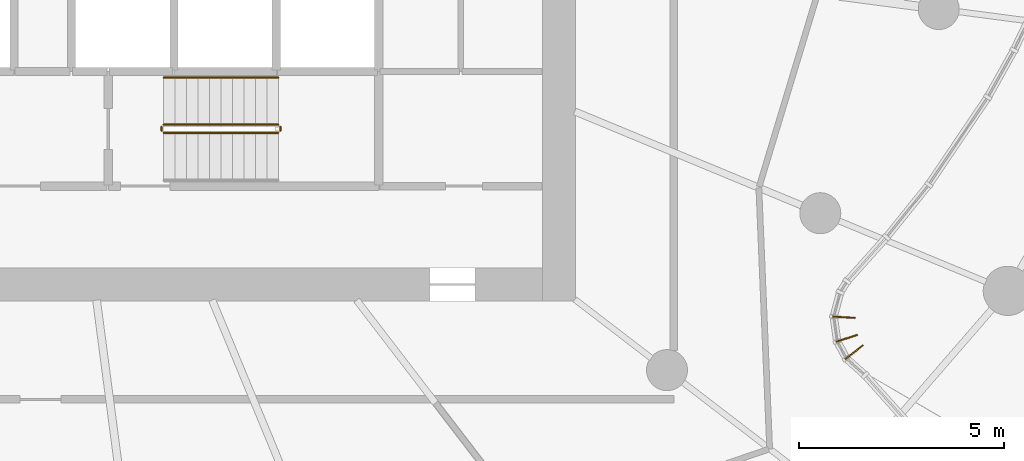
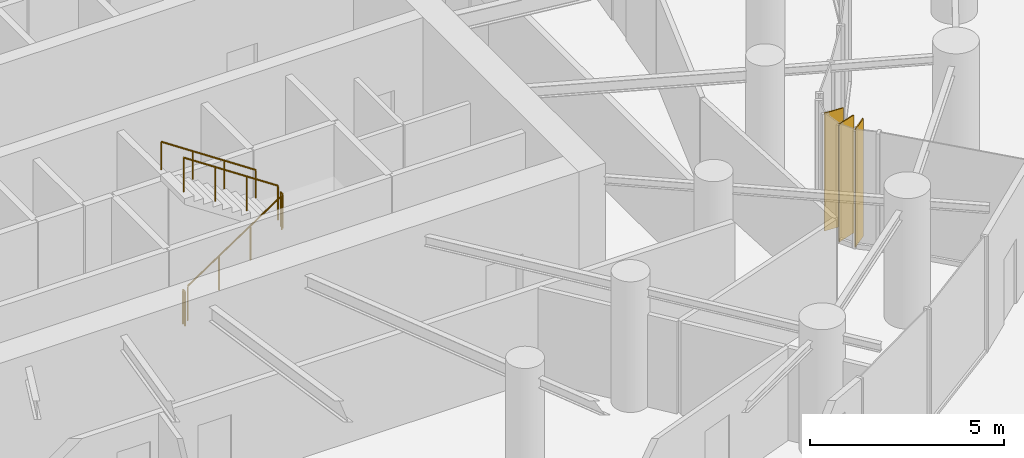
# One storey, part 21 of 24: 5 railings, 3 shading devices.
"""IFC4 building model written with IfcOpenShell, lengths in metres."""

import ifcopenshell
import ifcopenshell.guid

model = None  # the IFC model being written
_history = None  # IfcOwnerHistory: only IFC2X3 demands one
_inside = {}  # id of a spatial element -> (the spatial element, [elements in it])
_under = {}  # id of a project, library or spatial element -> (it, [spatial elements below it])
_declared = {}  # id of a project -> (the project, [libraries it declares])
_typed = {}  # id of a type object -> (the type object, [elements of that type])
_made_of = {}  # id of a material, layer set ... -> (it, [elements and type objects made of it])


def new_model(schema):
    """Start an empty IFC model of exactly this schema.

    Asked for "IFC4X3", IfcOpenShell would pick the latest addendum, in which some entities
    have other attributes; the version numbers below select the first issue.
    IFC2X3 requires an IfcOwnerHistory on every rooted entity: one is made here for all.
    """
    global model, _history
    if schema == "IFC4X3":
        model = ifcopenshell.file(schema_version=(4, 3, 0, 0))
    else:
        model = ifcopenshell.file(schema=schema)
    _inside.clear()
    _under.clear()
    _declared.clear()
    _typed.clear()
    _made_of.clear()
    _history = None
    if model.schema == "IFC2X3":
        org = make("IfcOrganization", Name="unknown")
        user = make(
            "IfcPersonAndOrganization",
            ThePerson=make("IfcPerson", FamilyName="unknown"),
            TheOrganization=org,
        )
        app = make(
            "IfcApplication",
            ApplicationDeveloper=org,
            Version="unknown",
            ApplicationFullName="unknown",
            ApplicationIdentifier="unknown",
        )
        _history = make(
            "IfcOwnerHistory",
            OwningUser=user,
            OwningApplication=app,
            ChangeAction="ADDED",
            CreationDate=0,
        )
    return model


def make(cls, **values):
    """One entity of the class cls with the attributes given. An attribute that is None is left unset."""
    return model.create_entity(
        cls, **{name: value for name, value in values.items() if value is not None}
    )


def rooted(cls, **values):
    """An entity with a GlobalId (a new one), such as an element, a storey or a relation."""
    return make(cls, GlobalId=ifcopenshell.guid.new(), OwnerHistory=_history, **values)


def si_unit(unit_type, name, prefix=None):
    """IfcSIUnit, for example si_unit("LENGTHUNIT", "METRE", prefix="MILLI")."""
    return make("IfcSIUnit", UnitType=unit_type, Prefix=prefix, Name=name)


def assignment(units):
    """IfcUnitAssignment: the units of a project."""
    return None if units is None else make("IfcUnitAssignment", Units=units)


def point(xyz):
    """IfcCartesianPoint."""
    return None if xyz is None else make("IfcCartesianPoint", Coordinates=xyz)


def direction(xyz):
    """IfcDirection."""
    return None if xyz is None else make("IfcDirection", DirectionRatios=xyz)


def frame(location, z_axis=None, x_axis=None):
    """IfcAxis2Placement3D, a coordinate frame: its origin and axes. An axis left out is left unset."""
    return make(
        "IfcAxis2Placement3D",
        Location=point(location),
        Axis=direction(z_axis),
        RefDirection=direction(x_axis),
    )


def frame_2d(location, x_axis=None):
    """IfcAxis2Placement2D, a coordinate frame in the plane: its origin and x axis."""
    return make(
        "IfcAxis2Placement2D", Location=point(location), RefDirection=direction(x_axis)
    )


def origin():
    """The frame at (0, 0, 0) with its axes left unset."""
    return frame((0.0, 0.0, 0.0))


def origin_2d():
    """The frame at (0, 0) in the plane with its x axis left unset."""
    return frame_2d((0.0, 0.0))


def place(relative_to, where):
    """IfcLocalPlacement: puts the frame where relative to a parent placement (None: the world)."""
    return make(
        "IfcLocalPlacement", PlacementRelTo=relative_to, RelativePlacement=where
    )


def context(
    kind, dimensions, precision=None, world=None, true_north=None, identifier=None
):
    """IfcGeometricRepresentationContext, for example the 3D "Model" context."""
    return make(
        "IfcGeometricRepresentationContext",
        ContextIdentifier=identifier,
        ContextType=kind,
        CoordinateSpaceDimension=dimensions,
        Precision=precision,
        WorldCoordinateSystem=world,
        TrueNorth=true_north,
    )


def subcontext(parent, identifier, kind, view, scale=None):
    """IfcGeometricRepresentationSubContext, for example "Body" below "Model"."""
    return make(
        "IfcGeometricRepresentationSubContext",
        ContextIdentifier=identifier,
        ContextType=kind,
        ParentContext=parent,
        TargetScale=scale,
        TargetView=view,
    )


def project(units=None, contexts=None):
    """IfcProject with its units and contexts."""
    return rooted(
        "IfcProject",
        Name="project",
        RepresentationContexts=contexts,
        UnitsInContext=assignment(units),
    )


def spatial(cls, under=None, at=None, **own):
    """A site, building, storey or space (cls), placed at a placement, below another one or the project."""
    s = rooted(cls, ObjectPlacement=at, **own)
    if under is not None:
        _under.setdefault(under.id(), (under, []))[1].append(s)
    return s


def profile(cls, at=None, kind="AREA", **sizes):
    """A parametric profile (cls). Its sizes go by their IFC names, for example OverallWidth=200.0."""
    return make(cls, ProfileType=kind, Position=at, **sizes)


def rectangle(**sizes):
    """IfcRectangleProfileDef."""
    return profile("IfcRectangleProfileDef", **sizes)


def circle(**sizes):
    """IfcCircleProfileDef."""
    return profile("IfcCircleProfileDef", **sizes)


def extrude(swept, where, along, depth):
    """IfcExtrudedAreaSolid: the profile swept, set in the frame where, extruded along a direction by depth."""
    return make(
        "IfcExtrudedAreaSolid",
        SweptArea=swept,
        Position=where,
        ExtrudedDirection=direction(along),
        Depth=depth,
    )


def shape(context_of_items, identifier, shape_type, items):
    """IfcShapeRepresentation: the items that make up one representation, for example the "Body"."""
    return make(
        "IfcShapeRepresentation",
        ContextOfItems=context_of_items,
        RepresentationIdentifier=identifier,
        RepresentationType=shape_type,
        Items=items,
    )


def source(mapping_origin, context_of_items, identifier, shape_type, items):
    """IfcRepresentationMap: a shape defined once, which mapped items show again and again."""
    return make(
        "IfcRepresentationMap",
        MappingOrigin=mapping_origin,
        MappedRepresentation=shape(context_of_items, identifier, shape_type, items),
    )


def transform(
    local_origin,
    x_axis=None,
    y_axis=None,
    z_axis=None,
    scale=None,
    scale2=None,
    scale3=None,
    uniform=True,
):
    """IfcCartesianTransformationOperator3D, or its non-uniform kind. x_axis, y_axis, z_axis: its Axis1, 2, 3."""
    if uniform:
        return make(
            "IfcCartesianTransformationOperator3D",
            Axis1=direction(x_axis),
            Axis2=direction(y_axis),
            LocalOrigin=point(local_origin),
            Scale=scale,
            Axis3=direction(z_axis),
        )
    return make(
        "IfcCartesianTransformationOperator3DnonUniform",
        Axis1=direction(x_axis),
        Axis2=direction(y_axis),
        LocalOrigin=point(local_origin),
        Scale=scale,
        Axis3=direction(z_axis),
        Scale2=scale2,
        Scale3=scale3,
    )


def mapped(mapping_source, mapping_target):
    """IfcMappedItem: shows the shape of a source again, moved by a transform."""
    return make(
        "IfcMappedItem", MappingSource=mapping_source, MappingTarget=mapping_target
    )


def material(Name=None, Category=None):
    """IfcMaterial."""
    return make("IfcMaterial", Name=Name, Category=Category)


def material_profile(
    of_material, cross_section, Name=None, Category=None, Priority=None
):
    """IfcMaterialProfile: a cross section and its material."""
    return make(
        "IfcMaterialProfile",
        Name=Name,
        Material=of_material,
        Profile=cross_section,
        Priority=Priority,
        Category=Category,
    )


def profile_set(profiles, Name=None, composite=None):
    """IfcMaterialProfileSet."""
    return make(
        "IfcMaterialProfileSet",
        Name=Name,
        MaterialProfiles=profiles,
        CompositeProfile=composite,
    )


def made_of(thing, what):
    """Note that an element or type object is made of a material, layer set ...; save() writes the relation."""
    if what is not None:
        _made_of.setdefault(what.id(), (what, []))[1].append(thing)
    return thing


def type_object(cls, material=None, **own):
    """A type object (cls), such as IfcWallType, which elements share."""
    return made_of(rooted(cls, **own), material)


def element(
    cls,
    number,
    at=None,
    inside=None,
    cuts=None,
    type_object=None,
    material=None,
    context=None,
    identifier="Body",
    shape_type=None,
    held_by="IfcProductDefinitionShape",
    body=None,
    shapes=None,
    **own,
):
    """One element of the class cls, such as IfcWall. Its Tag is "e" and its number.

    at: its placement. inside: the storey or other place that contains it. cuts: it is an
    opening in that element (IfcRelVoidsElement). A single representation is given by context,
    identifier, shape_type and body (its items); several are given by shapes. held_by: the class
    of the entity that holds the representations. save() writes the other relations.
    """
    e = rooted(cls, Tag="e%d" % number, ObjectPlacement=at, **own)
    if body is not None:
        shapes = [shape(context, identifier, shape_type, body)]
    if shapes is not None:
        e.Representation = make(held_by, Representations=shapes)
    if inside is not None:
        _inside.setdefault(inside.id(), (inside, []))[1].append(e)
    if cuts is not None:
        rooted(
            "IfcRelVoidsElement", RelatingBuildingElement=cuts, RelatedOpeningElement=e
        )
    if type_object is not None:
        _typed.setdefault(type_object.id(), (type_object, []))[1].append(e)
    return made_of(e, material)


def aggregate(whole, parts):
    """IfcRelAggregates: a whole, such as a stair, and the parts it consists of."""
    return rooted("IfcRelAggregates", RelatingObject=whole, RelatedObjects=parts)


def save(model, path):
    """Write the relations noted so far, then the file.

    IfcRelAggregates (storeys below a building ...), IfcRelContainedInSpatialStructure (elements
    in a storey), IfcRelDefinesByType, IfcRelAssociatesMaterial and IfcRelDeclares: one each for
    every whole, place, type object, material and project.
    """
    for whole, parts in _under.values():
        aggregate(whole, parts)
    for where, things in _inside.values():
        rooted(
            "IfcRelContainedInSpatialStructure",
            RelatedElements=things,
            RelatingStructure=where,
        )
    for kind, things in _typed.values():
        rooted("IfcRelDefinesByType", RelatedObjects=things, RelatingType=kind)
    for what, things in _made_of.values():
        rooted("IfcRelAssociatesMaterial", RelatedObjects=things, RelatingMaterial=what)
    for by, libraries in _declared.values():
        rooted("IfcRelDeclares", RelatingContext=by, RelatedDefinitions=libraries)
    model.write(path)


model = new_model("IFC4")

# Units and contexts
model_context = context("Model", 3, precision=1e-05, world=origin(), true_north=direction((0.0, 1.0)))
body_context = subcontext(model_context, "Body", "Model", "MODEL_VIEW")
ifc_project = project(units=[si_unit("LENGTHUNIT", "METRE"), si_unit("AREAUNIT", "SQUARE_METRE"), si_unit("VOLUMEUNIT", "CUBIC_METRE"), si_unit("PLANEANGLEUNIT", "RADIAN"), si_unit("MASSUNIT", "GRAM", prefix="KILO")], contexts=[model_context])

# Site, building, storey
site_placement = place(None, origin())
site = spatial("IfcSite", under=ifc_project, at=site_placement, CompositionType="ELEMENT")
building_placement = place(site_placement, origin())
building = spatial("IfcBuilding", under=site, at=building_placement, Name="Spindrift Exchange Tower", CompositionType="ELEMENT")
storey_placement = place(building_placement, frame((0.0, 0.0, 79.800048828125)))
storey = spatial("IfcBuildingStorey", under=building, at=storey_placement, Name="L18", CompositionType="ELEMENT", Elevation=79.800048828125)

# Railings
ifc_material_1 = material(Name="Steel balustrade", Category="steel")
railing_type_1 = type_object("IfcRailingType", Name="RL-STAIR-GUARD", PredefinedType="GUARDRAIL", material=ifc_material_1)
railing_1_placement = place(storey_placement, frame((54.949951171875, 42.10009765625, 0.186279296875)))
element("IfcRailing", 1, at=railing_1_placement, inside=storey, type_object=railing_type_1, Name="L18 ST2 stair guard 1", PredefinedType="GUARDRAIL", context=body_context, shape_type="SweptSolid", body=[
    extrude(circle(Radius=0.02392578125, at=origin_2d()), frame((0.0, 0.0, 1.076171875), z_axis=(0.832452072856, 0.0, 0.554097055034), x_axis=(0.0, 1.0, 0.0)), (0.0, 0.0, 1.0), 3.363525390625),
    extrude(circle(Radius=0.02099609375, at=origin_2d()), origin(), (0.0, 0.0, 1.0), 1.052001953125),
    extrude(circle(Radius=0.02099609375, at=origin_2d()), frame((0.933349609375, 0.0, 0.621337890625)), (0.0, 0.0, 1.0), 1.052001953125),
    extrude(circle(Radius=0.02099609375, at=origin_2d()), frame((1.86669921875, 0.0, 1.242431640625)), (0.0, 0.0, 1.0), 1.052001953125),
    extrude(circle(Radius=0.02099609375, at=origin_2d()), frame((2.800048828125, 0.0, 1.86376953125)), (0.0, 0.0, 1.0), 1.052001953125),
])
railing_2_placement = place(storey_placement, frame((57.800048828125, 42.14990234375, 2.050048828125)))
element("IfcRailing", 2, at=railing_2_placement, inside=storey, type_object=railing_type_1, Name="L18 ST2 stair guard 2", PredefinedType="GUARDRAIL", context=body_context, shape_type="SweptSolid", body=[
    extrude(circle(Radius=0.02392578125, at=origin_2d()), frame((0.0, 0.0, 1.076171875), z_axis=(0.0, 1.0, 0.0), x_axis=(-1.0, 0.0, 0.0)), (0.0, 0.0, 1.0), 0.10009765625),
    extrude(circle(Radius=0.02099609375, at=origin_2d()), origin(), (0.0, 0.0, 1.0), 1.052001953125),
    extrude(circle(Radius=0.02099609375, at=origin_2d()), frame((0.0, 0.10009765625, 0.0)), (0.0, 0.0, 1.0), 1.052001953125),
])
railing_3_placement = place(storey_placement, frame((57.75, 42.300048828125, 2.236328125)))
element("IfcRailing", 3, at=railing_3_placement, inside=storey, type_object=railing_type_1, Name="L18 ST2 stair guard 3", PredefinedType="GUARDRAIL", context=body_context, shape_type="SweptSolid", body=[
    extrude(circle(Radius=0.02392578125, at=origin_2d()), frame((0.0, 0.0, 1.076171875), z_axis=(-0.832485552168, 0.0, 0.554046753832), x_axis=(0.0, -1.0, 0.0)), (0.0, 0.0, 1.0), 3.363525390625),
    extrude(circle(Radius=0.02099609375, at=origin_2d()), origin(), (0.0, 0.0, 1.0), 1.052001953125),
    extrude(circle(Radius=0.02099609375, at=origin_2d()), frame((-0.933349609375, 0.0, 0.62109375)), (0.0, 0.0, 1.0), 1.052001953125),
    extrude(circle(Radius=0.02099609375, at=origin_2d()), frame((-1.86669921875, 0.0, 1.242431640625)), (0.0, 0.0, 1.0), 1.052001953125),
    extrude(circle(Radius=0.02099609375, at=origin_2d()), frame((-2.800048828125, 0.0, 1.863525390625)), (0.0, 0.0, 1.0), 1.052001953125),
])
railing_4_placement = place(storey_placement, frame((54.89990234375, 42.14990234375, 0.0)))
element("IfcRailing", 4, at=railing_4_placement, inside=storey, type_object=railing_type_1, Name="L18 ST2 stair guard 4", PredefinedType="GUARDRAIL", context=body_context, shape_type="SweptSolid", body=[
    extrude(circle(Radius=0.02392578125, at=origin_2d()), frame((0.0, 0.0, 1.076171875), z_axis=(0.0, 1.0, 0.0), x_axis=(-1.0, 0.0, 0.0)), (0.0, 0.0, 1.0), 0.10009765625),
    extrude(circle(Radius=0.02099609375, at=origin_2d()), origin(), (0.0, 0.0, 1.0), 1.052001953125),
    extrude(circle(Radius=0.02099609375, at=origin_2d()), frame((0.0, 0.10009765625, 0.0)), (0.0, 0.0, 1.0), 1.052001953125),
])
ifc_material_2 = material(Name="Steel tubular handrail", Category="steel")
railing_type_2 = type_object("IfcRailingType", Name="RL-STAIR-HAND", PredefinedType="HANDRAIL", material=ifc_material_2)
railing_5_placement = place(storey_placement, frame((57.75, 43.449951171875, 2.236328125)))
element("IfcRailing", 5, at=railing_5_placement, inside=storey, type_object=railing_type_2, Name="L18 ST2 stair handrail 2", PredefinedType="HANDRAIL", context=body_context, shape_type="SweptSolid", body=[
    extrude(circle(Radius=0.02392578125, at=origin_2d()), frame((0.0, 0.0, 0.8759765625), z_axis=(-0.832485552168, 0.0, 0.554046753832), x_axis=(0.0, -1.0, 0.0)), (0.0, 0.0, 1.0), 3.363525390625),
    extrude(circle(Radius=0.02099609375, at=origin_2d()), origin(), (0.0, 0.0, 1.0), 0.851806640625),
    extrude(circle(Radius=0.02099609375, at=origin_2d()), frame((-0.933349609375, 0.0, 0.62109375)), (0.0, 0.0, 1.0), 0.851806640625),
    extrude(circle(Radius=0.02099609375, at=origin_2d()), frame((-1.86669921875, 0.0, 1.242431640625)), (0.0, 0.0, 1.0), 0.851806640625),
    extrude(circle(Radius=0.02099609375, at=origin_2d()), frame((-2.800048828125, 0.0, 1.863525390625)), (0.0, 0.0, 1.0), 0.851806640625),
])

# Shading devices
ifc_material_3 = material(Name="Bronze anodised aluminium", Category="aluminium")
ifc_material_profile = material_profile(ifc_material_3, rectangle(XDim=0.030029296875, YDim=0.550048828125, at=origin_2d()), Name="WIND FIN 30X550")
ifc_profile_set = profile_set([ifc_material_profile], Name="Bronze anodised aluminium")
shading_device_type = type_object("IfcShadingDeviceType", Name="WIND FIN 30X550", PredefinedType="USERDEFINED", material=ifc_profile_set)
shared_shape = source(origin(), body_context, "Body", "SweptSolid", [
    extrude(rectangle(XDim=0.030029296875, YDim=0.550048828125, at=origin_2d()), origin(), (0.0, 0.0, 1.0), 3.699951171875),
])
for number, where, z_axis, x_axis, name in (
    (6, (71.799560546875, 36.75, 0.0), (0.0, 0.0, 1.0), (-0.617933716285, 0.786230196748, 0.0), "L18 wind fin 1"),
    (7, (71.619140625, 37.087890625, 0.0), (0.0, 0.0, 1.0), (-0.310331344881, 0.950628453385, 0.0), "L18 wind fin 2"),
    (8, (71.54541015625, 37.6025390625, 0.0), (0.0, 0.0, 1.0), (0.058774976761, 0.998271256777, 0.0), "L18 wind fin 3"),
):
    element("IfcShadingDevice", number, at=place(storey_placement, frame(where, z_axis=z_axis, x_axis=x_axis)), inside=storey, type_object=shading_device_type, Name=name, ObjectType="FIN", PredefinedType="USERDEFINED", context=body_context, shape_type="MappedRepresentation", body=[
        mapped(shared_shape, transform((0.0, 0.0, 0.0), scale=1.0)),
    ])

save(model, "model.ifc")
